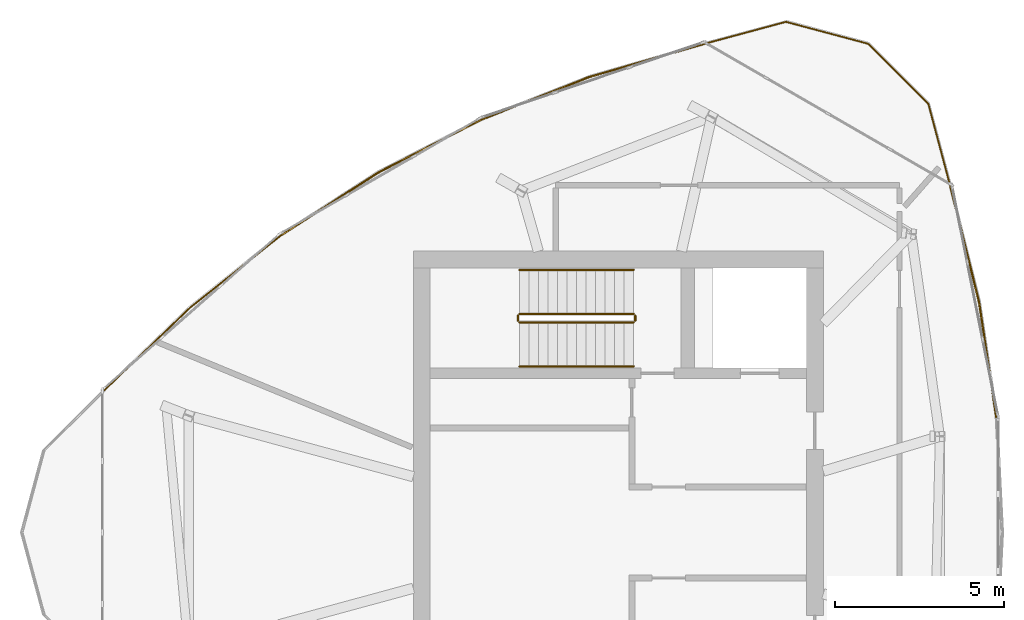
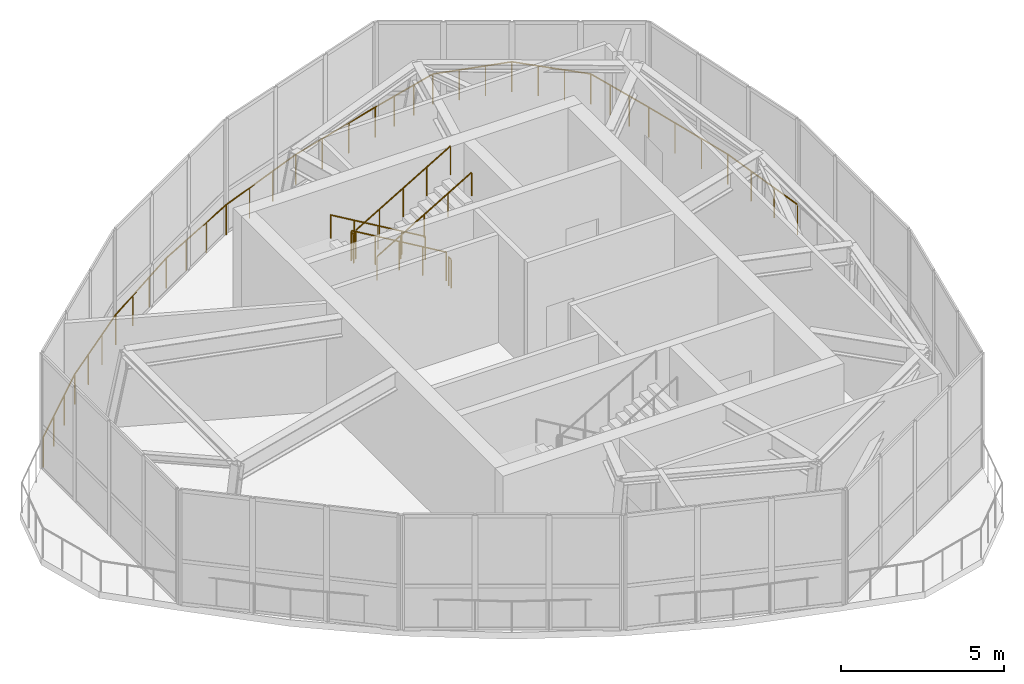
# One storey, part 10 of 10: 11 railings.
"""IFC4 building model written with IfcOpenShell, lengths in metres."""

from ifc_helpers import new_model, si_unit, direction, frame, origin, origin_2d, place, context, subcontext, project, spatial, circle, extrude, source, transform, mapped, material, type_object, element, save


model = new_model("IFC4")

# Units and contexts
model_context = context("Model", 3, precision=1e-05, world=origin(), true_north=direction((0.0, 1.0)))
body_context = subcontext(model_context, "Body", "Model", "MODEL_VIEW")
ifc_project = project(units=[si_unit("LENGTHUNIT", "METRE"), si_unit("AREAUNIT", "SQUARE_METRE"), si_unit("VOLUMEUNIT", "CUBIC_METRE"), si_unit("PLANEANGLEUNIT", "RADIAN"), si_unit("MASSUNIT", "GRAM", prefix="KILO")], contexts=[model_context])

# Site, building, storey
site_placement = place(None, origin())
site = spatial("IfcSite", under=ifc_project, at=site_placement, CompositionType="ELEMENT")
building_placement = place(site_placement, origin())
building = spatial("IfcBuilding", under=site, at=building_placement, Name="Qafzar Sky-Pleat Residences", CompositionType="ELEMENT")
storey_placement = place(building_placement, frame((0.0, 0.0, 261.800048828125)))
storey = spatial("IfcBuildingStorey", under=building, at=storey_placement, Name="L78 Crown", CompositionType="ELEMENT", Elevation=261.800048828125)

# Railings
ifc_material_1 = material(Name="Galvanised and bronze-coated Steel S355 guardrail", Category="steel")
railing_type_1 = type_object("IfcRailingType", Name="RAIL-EXT-1150", PredefinedType="GUARDRAIL", material=ifc_material_1)
shared_shape_1 = source(origin(), body_context, "Body", "SweptSolid", [
    extrude(circle(Radius=0.02392578125, at=origin_2d()), frame((0.0, 0.0, 1.1259765625), z_axis=(-0.147455981313, 0.989068619245, 0.0), x_axis=(-0.989068619245, -0.147455981313, 0.0)), (0.0, 0.0, 1.0), 3.442138671875),
    extrude(circle(Radius=0.02392578125, at=origin_2d()), frame((-0.507568359375, 3.404541015625, 1.1259765625), z_axis=(-0.241324518028, 0.970444473939, 0.0), x_axis=(-0.970444473939, -0.241324518028, 0.0)), (0.0, 0.0, 1.0), 3.510498046875),
    extrude(circle(Radius=0.02099609375, at=origin_2d()), origin(), (0.0, 0.0, 1.0), 1.101806640625),
    extrude(circle(Radius=0.02099609375, at=origin_2d()), frame((-0.169189453125, 1.134765625, 0.0)), (0.0, 0.0, 1.0), 1.101806640625),
    extrude(circle(Radius=0.02099609375, at=origin_2d()), frame((-0.33837890625, 2.269775390625, 0.0)), (0.0, 0.0, 1.0), 1.101806640625),
    extrude(circle(Radius=0.02099609375, at=origin_2d()), frame((-0.507568359375, 3.404541015625, 0.0)), (0.0, 0.0, 1.0), 1.101806640625),
    extrude(circle(Radius=0.02099609375, at=origin_2d()), frame((-0.7900390625, 4.5400390625, 0.0)), (0.0, 0.0, 1.0), 1.101806640625),
    extrude(circle(Radius=0.02099609375, at=origin_2d()), frame((-1.072265625, 5.67578125, 0.0)), (0.0, 0.0, 1.0), 1.101806640625),
    extrude(circle(Radius=0.02099609375, at=origin_2d()), frame((-1.354736328125, 6.811279296875, 0.0)), (0.0, 0.0, 1.0), 1.101806640625),
])
railing_1_placement = place(storey_placement, frame((41.504150390625, 29.40283203125, 0.0)))
element("IfcRailing", 1, at=railing_1_placement, inside=storey, type_object=railing_type_1, Name="L78 Crown Corner Maintenance Guardrail 8", PredefinedType="GUARDRAIL", context=body_context, shape_type="MappedRepresentation", body=[
    mapped(shared_shape_1, transform((0.0, 0.0, 0.0), x_axis=(1.0, 0.0, 0.0), y_axis=(0.0, 1.0, 0.0), z_axis=(0.0, 0.0, 1.0), scale=1.0)),
])
shared_shape_2 = source(origin(), body_context, "Body", "SweptSolid", [
    extrude(circle(Radius=0.02392578125, at=origin_2d()), frame((0.0, 0.0, 1.1259765625), z_axis=(-0.257354484453, 0.966317064597, 0.0), x_axis=(-0.966317064597, -0.257354484453, 0.0)), (0.0, 0.0, 1.0), 2.514892578125),
    extrude(circle(Radius=0.02392578125, at=origin_2d()), frame((-0.647216796875, 2.43017578125, 1.1259765625), z_axis=(-0.706815290967, 0.707398151295, 0.0), x_axis=(-0.707398151295, -0.706815290967, 0.0)), (0.0, 0.0, 1.0), 2.51318359375),
    extrude(circle(Radius=0.02392578125, at=origin_2d()), frame((-2.423583984375, 4.2080078125, 1.1259765625), z_axis=(-0.966151058512, 0.257976999237, 0.0), x_axis=(-0.257976999237, -0.966151058512, 0.0)), (0.0, 0.0, 1.0), 2.513427734375),
    extrude(circle(Radius=0.02392578125, at=origin_2d()), frame((-4.85205078125, 4.8564453125, 1.1259765625), z_axis=(-0.965465700719, -0.260530191601, 0.0), x_axis=(0.260530191601, -0.965465700719, 0.0)), (0.0, 0.0, 1.0), 2.51611328125),
    extrude(circle(Radius=0.02099609375, at=origin_2d()), origin(), (0.0, 0.0, 1.0), 1.101806640625),
    extrude(circle(Radius=0.02099609375, at=origin_2d()), frame((-0.2158203125, 0.81005859375, 0.0)), (0.0, 0.0, 1.0), 1.101806640625),
    extrude(circle(Radius=0.02099609375, at=origin_2d()), frame((-0.431396484375, 1.6201171875, 0.0)), (0.0, 0.0, 1.0), 1.101806640625),
    extrude(circle(Radius=0.02099609375, at=origin_2d()), frame((-0.647216796875, 2.43017578125, 0.0)), (0.0, 0.0, 1.0), 1.101806640625),
    extrude(circle(Radius=0.02099609375, at=origin_2d()), frame((-1.2392578125, 3.022705078125, 0.0)), (0.0, 0.0, 1.0), 1.101806640625),
    extrude(circle(Radius=0.02099609375, at=origin_2d()), frame((-1.83154296875, 3.615478515625, 0.0)), (0.0, 0.0, 1.0), 1.101806640625),
    extrude(circle(Radius=0.02099609375, at=origin_2d()), frame((-2.423583984375, 4.2080078125, 0.0)), (0.0, 0.0, 1.0), 1.101806640625),
    extrude(circle(Radius=0.02099609375, at=origin_2d()), frame((-3.233154296875, 4.424072265625, 0.0)), (0.0, 0.0, 1.0), 1.101806640625),
    extrude(circle(Radius=0.02099609375, at=origin_2d()), frame((-4.04248046875, 4.640380859375, 0.0)), (0.0, 0.0, 1.0), 1.101806640625),
    extrude(circle(Radius=0.02099609375, at=origin_2d()), frame((-4.85205078125, 4.8564453125, 0.0)), (0.0, 0.0, 1.0), 1.101806640625),
    extrude(circle(Radius=0.02099609375, at=origin_2d()), frame((-5.661865234375, 4.637939453125, 0.0)), (0.0, 0.0, 1.0), 1.101806640625),
    extrude(circle(Radius=0.02099609375, at=origin_2d()), frame((-6.471435546875, 4.41943359375, 0.0)), (0.0, 0.0, 1.0), 1.101806640625),
    extrude(circle(Radius=0.02099609375, at=origin_2d()), frame((-7.28125, 4.200927734375, 0.0)), (0.0, 0.0, 1.0), 1.101806640625),
])
railing_2_placement = place(storey_placement, frame((40.1494140625, 36.214111328125, 0.0)))
element("IfcRailing", 2, at=railing_2_placement, inside=storey, type_object=railing_type_1, Name="L78 Crown Corner Maintenance Guardrail 9", PredefinedType="GUARDRAIL", context=body_context, shape_type="MappedRepresentation", body=[
    mapped(shared_shape_2, transform((0.0, 0.0, 0.0), x_axis=(1.0, 0.0, 0.0), y_axis=(0.0, 1.0, 0.0), z_axis=(0.0, 0.0, 1.0), scale=1.0)),
])
shared_shape_3 = source(origin(), body_context, "Body", "SweptSolid", [
    extrude(circle(Radius=0.02392578125, at=origin_2d()), frame((0.0, 0.0, 1.1259765625), z_axis=(-0.96096838237, -0.276658215285, 0.0), x_axis=(0.276658215285, -0.96096838237, 0.0)), (0.0, 0.0, 1.0), 3.51123046875),
    extrude(circle(Radius=0.02392578125, at=origin_2d()), frame((-3.374267578125, -0.971435546875, 1.1259765625), z_axis=(-0.930028946527, -0.367486269978, 0.0), x_axis=(0.367486269978, -0.930028946527, 0.0)), (0.0, 0.0, 1.0), 3.44189453125),
    extrude(circle(Radius=0.02099609375, at=origin_2d()), origin(), (0.0, 0.0, 1.0), 1.101806640625),
    extrude(circle(Radius=0.02099609375, at=origin_2d()), frame((-1.124755859375, -0.32373046875, 0.0)), (0.0, 0.0, 1.0), 1.101806640625),
    extrude(circle(Radius=0.02099609375, at=origin_2d()), frame((-2.24951171875, -0.647705078125, 0.0)), (0.0, 0.0, 1.0), 1.101806640625),
    extrude(circle(Radius=0.02099609375, at=origin_2d()), frame((-3.374267578125, -0.971435546875, 0.0)), (0.0, 0.0, 1.0), 1.101806640625),
    extrude(circle(Radius=0.02099609375, at=origin_2d()), frame((-4.44140625, -1.39306640625, 0.0)), (0.0, 0.0, 1.0), 1.101806640625),
    extrude(circle(Radius=0.02099609375, at=origin_2d()), frame((-5.50830078125, -1.814697265625, 0.0)), (0.0, 0.0, 1.0), 1.101806640625),
    extrude(circle(Radius=0.02099609375, at=origin_2d()), frame((-6.575439453125, -2.236328125, 0.0)), (0.0, 0.0, 1.0), 1.101806640625),
])
railing_3_placement = place(storey_placement, frame((32.8681640625, 40.4150390625, 0.0)))
element("IfcRailing", 3, at=railing_3_placement, inside=storey, type_object=railing_type_1, Name="L78 Crown Corner Maintenance Guardrail 10", PredefinedType="GUARDRAIL", context=body_context, shape_type="MappedRepresentation", body=[
    mapped(shared_shape_3, transform((0.0, 0.0, 0.0), x_axis=(1.0, 0.0, 0.0), y_axis=(0.0, 1.0, 0.0), z_axis=(0.0, 0.0, 1.0), scale=1.0)),
])
shared_shape_4 = source(origin(), body_context, "Body", "SweptSolid", [
    extrude(circle(Radius=0.02392578125, at=origin_2d()), frame((0.0, 0.0, 1.1259765625), z_axis=(-0.889469357682, -0.456994815885, 0.0), x_axis=(0.456994815885, -0.889469357682, 0.0)), (0.0, 0.0, 1.0), 3.4052734375),
    extrude(circle(Radius=0.02392578125, at=origin_2d()), frame((-3.02880859375, -1.55615234375, 1.1259765625), z_axis=(-0.839995116087, -0.542593959559, 0.0), x_axis=(0.542593959559, -0.839995116087, 0.0)), (0.0, 0.0, 1.0), 3.404296875),
    extrude(circle(Radius=0.02099609375, at=origin_2d()), origin(), (0.0, 0.0, 1.0), 1.101806640625),
    extrude(circle(Radius=0.02099609375, at=origin_2d()), frame((-1.009521484375, -0.518798828125, 0.0)), (0.0, 0.0, 1.0), 1.101806640625),
    extrude(circle(Radius=0.02099609375, at=origin_2d()), frame((-2.019287109375, -1.037353515625, 0.0)), (0.0, 0.0, 1.0), 1.101806640625),
    extrude(circle(Radius=0.02099609375, at=origin_2d()), frame((-3.02880859375, -1.55615234375, 0.0)), (0.0, 0.0, 1.0), 1.101806640625),
    extrude(circle(Radius=0.02099609375, at=origin_2d()), frame((-3.98193359375, -2.171875, 0.0)), (0.0, 0.0, 1.0), 1.101806640625),
    extrude(circle(Radius=0.02099609375, at=origin_2d()), frame((-4.935302734375, -2.78759765625, 0.0)), (0.0, 0.0, 1.0), 1.101806640625),
    extrude(circle(Radius=0.02099609375, at=origin_2d()), frame((-5.888427734375, -3.4033203125, 0.0)), (0.0, 0.0, 1.0), 1.101806640625),
])
railing_4_placement = place(storey_placement, frame((26.292724609375, 38.1787109375, 0.0)))
element("IfcRailing", 4, at=railing_4_placement, inside=storey, type_object=railing_type_1, Name="L78 Crown Corner Maintenance Guardrail 11", PredefinedType="GUARDRAIL", context=body_context, shape_type="MappedRepresentation", body=[
    mapped(shared_shape_4, transform((0.0, 0.0, 0.0), x_axis=(1.0, 0.0, 0.0), y_axis=(0.0, 1.0, 0.0), z_axis=(0.0, 0.0, 1.0), scale=1.0)),
])
shared_shape_5 = source(origin(), body_context, "Body", "SweptSolid", [
    extrude(circle(Radius=0.02392578125, at=origin_2d()), frame((0.0, 0.0, 1.1259765625), z_axis=(-0.782825028114, -0.62224189457, 0.0), x_axis=(0.62224189457, -0.782825028114, 0.0)), (0.0, 0.0, 1.0), 3.43896484375),
    extrude(circle(Radius=0.02392578125, at=origin_2d()), frame((-2.692138671875, -2.139892578125, 1.1259765625), z_axis=(-0.719965984311, -0.694009352555, 0.0), x_axis=(0.694009352555, -0.719965984311, 0.0)), (0.0, 0.0, 1.0), 3.50830078125),
    extrude(circle(Radius=0.02099609375, at=origin_2d()), origin(), (0.0, 0.0, 1.0), 1.101806640625),
    extrude(circle(Radius=0.02099609375, at=origin_2d()), frame((-0.8974609375, -0.71337890625, 0.0)), (0.0, 0.0, 1.0), 1.101806640625),
    extrude(circle(Radius=0.02099609375, at=origin_2d()), frame((-1.794677734375, -1.426513671875, 0.0)), (0.0, 0.0, 1.0), 1.101806640625),
    extrude(circle(Radius=0.02099609375, at=origin_2d()), frame((-2.692138671875, -2.139892578125, 0.0)), (0.0, 0.0, 1.0), 1.101806640625),
    extrude(circle(Radius=0.02099609375, at=origin_2d()), frame((-3.5341796875, -2.951416015625, 0.0)), (0.0, 0.0, 1.0), 1.101806640625),
    extrude(circle(Radius=0.02099609375, at=origin_2d()), frame((-4.3759765625, -3.76318359375, 0.0)), (0.0, 0.0, 1.0), 1.101806640625),
    extrude(circle(Radius=0.02099609375, at=origin_2d()), frame((-5.218017578125, -4.57470703125, 0.0)), (0.0, 0.0, 1.0), 1.101806640625),
])
railing_5_placement = place(storey_placement, frame((20.404296875, 34.775390625, 0.0)))
element("IfcRailing", 5, at=railing_5_placement, inside=storey, type_object=railing_type_1, Name="L78 Crown Corner Maintenance Guardrail 12", PredefinedType="GUARDRAIL", context=body_context, shape_type="MappedRepresentation", body=[
    mapped(shared_shape_5, transform((0.0, 0.0, 0.0), x_axis=(1.0, 0.0, 0.0), y_axis=(0.0, 1.0, 0.0), z_axis=(0.0, 0.0, 1.0), scale=1.0)),
])
ifc_material_2 = material(Name="Painted Steel S355 stair guardrail", Category="steel")
railing_type_2 = type_object("IfcRailingType", Name="RAIL-STAIR-GUARD", PredefinedType="GUARDRAIL", material=ifc_material_2)
shared_shape_6 = source(origin(), body_context, "Body", "SweptSolid", [
    extrude(circle(Radius=0.02392578125, at=origin_2d()), frame((0.0, 0.0, 1.076171875), z_axis=(0.0, -1.0, 0.0), x_axis=(1.0, 0.0, 0.0)), (0.0, 0.0, 1.0), 0.14990234375),
    extrude(circle(Radius=0.02099609375, at=origin_2d()), origin(), (0.0, 0.0, 1.0), 1.052001953125),
    extrude(circle(Radius=0.02099609375, at=origin_2d()), frame((0.0, -0.14990234375, 0.0)), (0.0, 0.0, 1.0), 1.052001953125),
])
for number, where, name in (
    (6, (27.389892578125, 32.39990234375, 2.14990234375), "L78 Crown ST2 stair guard 2"),
    (7, (30.85009765625, 32.39990234375, 0.0), "L78 Crown ST2 stair guard 4"),
):
    element("IfcRailing", number, at=place(storey_placement, frame(where)), inside=storey, type_object=railing_type_2, Name=name, PredefinedType="GUARDRAIL", context=body_context, shape_type="MappedRepresentation", body=[
        mapped(shared_shape_6, transform((0.0, 0.0, 0.0), x_axis=(1.0, 0.0, 0.0), y_axis=(0.0, 1.0, 0.0), z_axis=(0.0, 0.0, 1.0), scale=1.0)),
    ])
shared_shape_7 = source(origin(), body_context, "Body", "SweptSolid", [
    extrude(circle(Radius=0.02392578125, at=origin_2d()), frame((0.0, 0.0, 1.076171875), z_axis=(-0.861027394533, 0.0, 0.50855857663), x_axis=(0.0, -1.0, 0.0)), (0.0, 0.0, 1.0), 3.90234375),
    extrude(circle(Radius=0.02099609375, at=origin_2d()), origin(), (0.0, 0.0, 1.0), 1.052001953125),
    extrude(circle(Radius=0.02099609375, at=origin_2d()), frame((-0.840087890625, 0.0, 0.49609375)), (0.0, 0.0, 1.0), 1.052001953125),
    extrude(circle(Radius=0.02099609375, at=origin_2d()), frame((-1.68017578125, 0.0, 0.9921875)), (0.0, 0.0, 1.0), 1.052001953125),
    extrude(circle(Radius=0.02099609375, at=origin_2d()), frame((-2.52001953125, 0.0, 1.488525390625)), (0.0, 0.0, 1.0), 1.052001953125),
    extrude(circle(Radius=0.02099609375, at=origin_2d()), frame((-3.360107421875, 0.0, 1.984619140625)), (0.0, 0.0, 1.0), 1.052001953125),
])
railing_6_placement = place(storey_placement, frame((30.800048828125, 32.449951171875, 0.165283203125)))
element("IfcRailing", 8, at=railing_6_placement, inside=storey, type_object=railing_type_2, Name="L78 Crown ST2 stair guard 1", PredefinedType="GUARDRAIL", context=body_context, shape_type="MappedRepresentation", body=[
    mapped(shared_shape_7, transform((0.0, 0.0, 0.0), x_axis=(1.0, 0.0, 0.0), y_axis=(0.0, 1.0, 0.0), z_axis=(0.0, 0.0, 1.0), scale=1.0)),
])
shared_shape_8 = source(origin(), body_context, "Body", "SweptSolid", [
    extrude(circle(Radius=0.02392578125, at=origin_2d()), frame((0.0, 0.0, 1.076171875), z_axis=(0.861027394533, 0.0, 0.50855857663), x_axis=(0.0, 1.0, 0.0)), (0.0, 0.0, 1.0), 3.90234375),
    extrude(circle(Radius=0.02099609375, at=origin_2d()), origin(), (0.0, 0.0, 1.0), 1.052001953125),
    extrude(circle(Radius=0.02099609375, at=origin_2d()), frame((0.840087890625, 0.0, 0.49609375)), (0.0, 0.0, 1.0), 1.052001953125),
    extrude(circle(Radius=0.02099609375, at=origin_2d()), frame((1.68017578125, 0.0, 0.9921875)), (0.0, 0.0, 1.0), 1.052001953125),
    extrude(circle(Radius=0.02099609375, at=origin_2d()), frame((2.52001953125, 0.0, 1.488525390625)), (0.0, 0.0, 1.0), 1.052001953125),
    extrude(circle(Radius=0.02099609375, at=origin_2d()), frame((3.360107421875, 0.0, 1.984619140625)), (0.0, 0.0, 1.0), 1.052001953125),
])
railing_7_placement = place(storey_placement, frame((27.43994140625, 32.199951171875, 2.3154296875)))
element("IfcRailing", 9, at=railing_7_placement, inside=storey, type_object=railing_type_2, Name="L78 Crown ST2 stair guard 3", PredefinedType="GUARDRAIL", context=body_context, shape_type="MappedRepresentation", body=[
    mapped(shared_shape_8, transform((0.0, 0.0, 0.0), x_axis=(1.0, 0.0, 0.0), y_axis=(0.0, 1.0, 0.0), z_axis=(0.0, 0.0, 1.0), scale=1.0)),
])
ifc_material_3 = material(Name="Brushed stainless steel handrail", Category="steel")
railing_type_3 = type_object("IfcRailingType", Name="RAIL-STAIR-HAND", PredefinedType="HANDRAIL", material=ifc_material_3)
shared_shape_9 = source(origin(), body_context, "Body", "SweptSolid", [
    extrude(circle(Radius=0.02392578125, at=origin_2d()), frame((0.0, 0.0, 0.8759765625), z_axis=(-0.861027394533, 0.0, 0.50855857663), x_axis=(0.0, -1.0, 0.0)), (0.0, 0.0, 1.0), 3.90234375),
    extrude(circle(Radius=0.02099609375, at=origin_2d()), origin(), (0.0, 0.0, 1.0), 0.851806640625),
    extrude(circle(Radius=0.02099609375, at=origin_2d()), frame((-0.840087890625, 0.0, 0.49609375)), (0.0, 0.0, 1.0), 0.851806640625),
    extrude(circle(Radius=0.02099609375, at=origin_2d()), frame((-1.68017578125, 0.0, 0.9921875)), (0.0, 0.0, 1.0), 0.851806640625),
    extrude(circle(Radius=0.02099609375, at=origin_2d()), frame((-2.52001953125, 0.0, 1.488525390625)), (0.0, 0.0, 1.0), 0.851806640625),
    extrude(circle(Radius=0.02099609375, at=origin_2d()), frame((-3.360107421875, 0.0, 1.984619140625)), (0.0, 0.0, 1.0), 0.851806640625),
])
railing_8_placement = place(storey_placement, frame((30.800048828125, 33.75, 0.165283203125)))
element("IfcRailing", 10, at=railing_8_placement, inside=storey, type_object=railing_type_3, Name="L78 Crown ST2 stair handrail 1", PredefinedType="HANDRAIL", context=body_context, shape_type="MappedRepresentation", body=[
    mapped(shared_shape_9, transform((0.0, 0.0, 0.0), x_axis=(1.0, 0.0, 0.0), y_axis=(0.0, 1.0, 0.0), z_axis=(0.0, 0.0, 1.0), scale=1.0)),
])
shared_shape_10 = source(origin(), body_context, "Body", "SweptSolid", [
    extrude(circle(Radius=0.02392578125, at=origin_2d()), frame((0.0, 0.0, 0.8759765625), z_axis=(0.861027394533, 0.0, 0.50855857663), x_axis=(0.0, 1.0, 0.0)), (0.0, 0.0, 1.0), 3.90234375),
    extrude(circle(Radius=0.02099609375, at=origin_2d()), origin(), (0.0, 0.0, 1.0), 0.851806640625),
    extrude(circle(Radius=0.02099609375, at=origin_2d()), frame((0.840087890625, 0.0, 0.49609375)), (0.0, 0.0, 1.0), 0.851806640625),
    extrude(circle(Radius=0.02099609375, at=origin_2d()), frame((1.68017578125, 0.0, 0.9921875)), (0.0, 0.0, 1.0), 0.851806640625),
    extrude(circle(Radius=0.02099609375, at=origin_2d()), frame((2.52001953125, 0.0, 1.488525390625)), (0.0, 0.0, 1.0), 0.851806640625),
    extrude(circle(Radius=0.02099609375, at=origin_2d()), frame((3.360107421875, 0.0, 1.984619140625)), (0.0, 0.0, 1.0), 0.851806640625),
])
railing_9_placement = place(storey_placement, frame((27.43994140625, 30.89990234375, 2.3154296875)))
element("IfcRailing", 11, at=railing_9_placement, inside=storey, type_object=railing_type_3, Name="L78 Crown ST2 stair handrail 2", PredefinedType="HANDRAIL", context=body_context, shape_type="MappedRepresentation", body=[
    mapped(shared_shape_10, transform((0.0, 0.0, 0.0), x_axis=(1.0, 0.0, 0.0), y_axis=(0.0, 1.0, 0.0), z_axis=(0.0, 0.0, 1.0), scale=1.0)),
])

save(model, "model.ifc")
